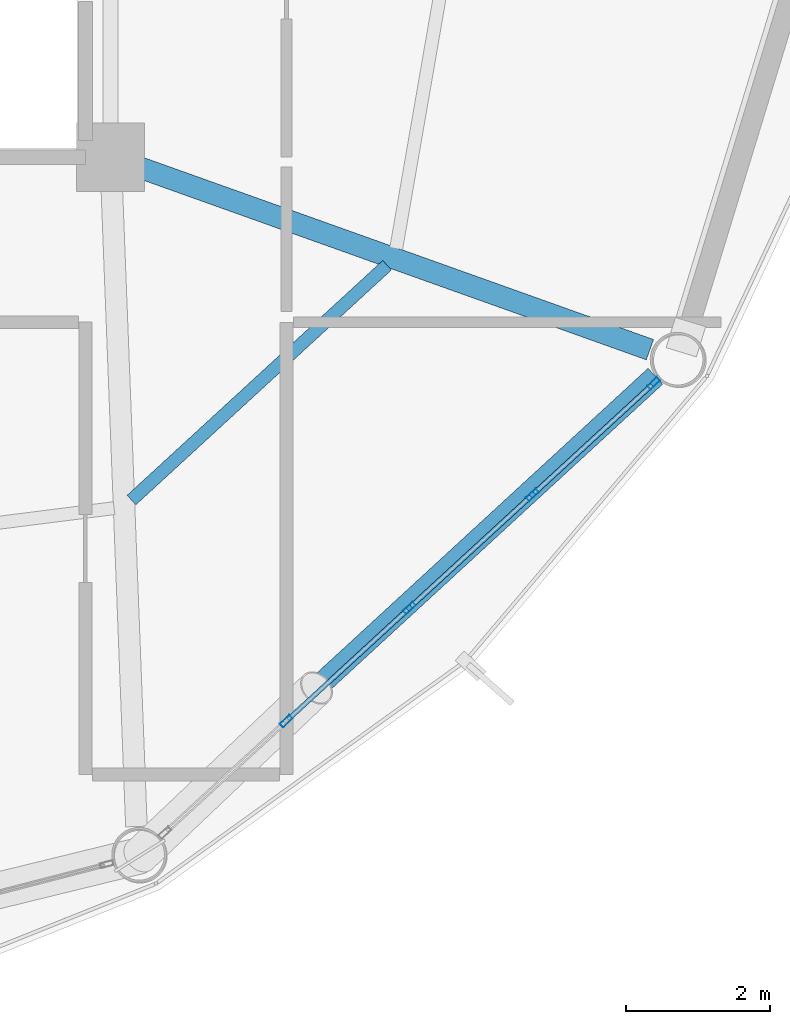
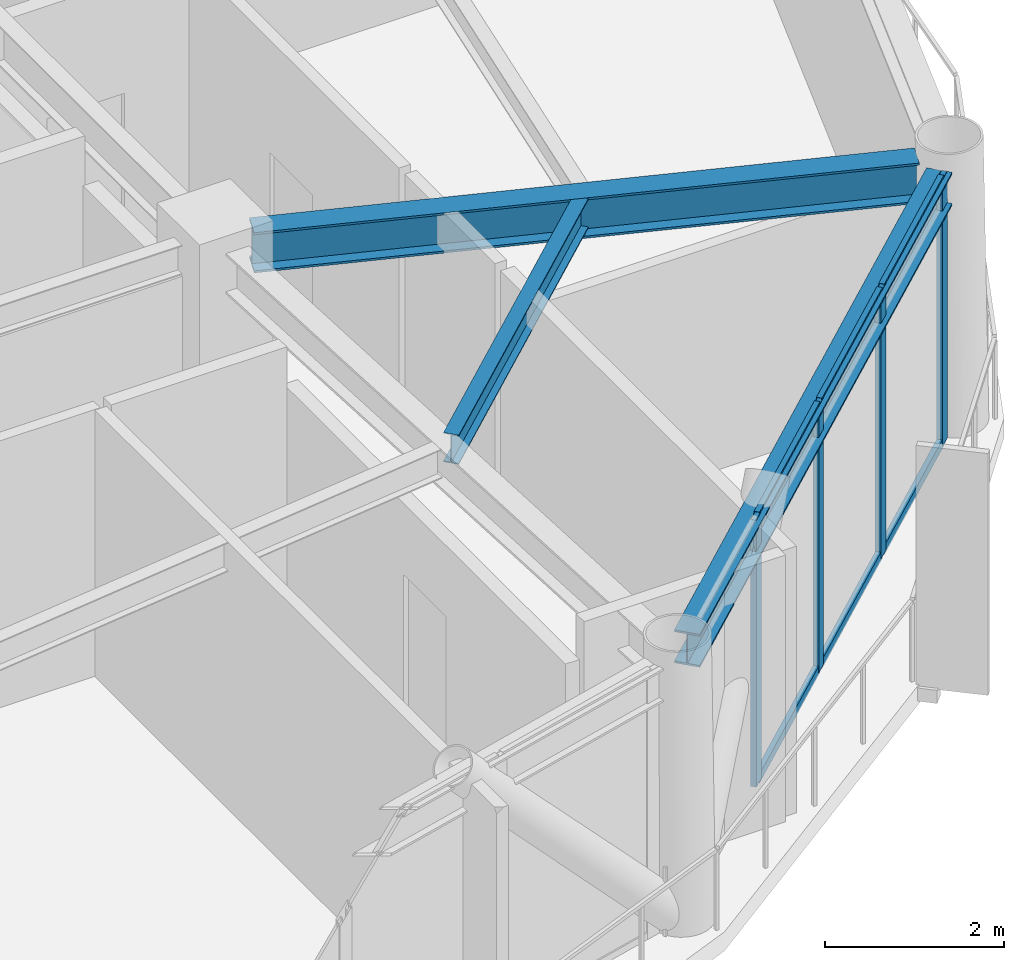
# One storey, part 14 of 25: 10 members, 3 beams, 1 element without a shape of its own.
"""IFC4 building model written with IfcOpenShell, lengths in metres."""

from ifc_helpers import new_model, si_unit, direction, frame, origin, origin_2d, place, context, subcontext, project, spatial, hollow_rectangle, i_section, extrude, material, layer, layer_set, material_profile, profile_set, type_object, element, aggregate, save


model = new_model("IFC4")

# Units and contexts
model_context = context("Model", 3, precision=1e-05, world=origin(), true_north=direction((0.0, 1.0)))
body_context = subcontext(model_context, "Body", "Model", "MODEL_VIEW")
ifc_project = project(units=[si_unit("LENGTHUNIT", "METRE"), si_unit("AREAUNIT", "SQUARE_METRE"), si_unit("VOLUMEUNIT", "CUBIC_METRE"), si_unit("PLANEANGLEUNIT", "RADIAN"), si_unit("MASSUNIT", "GRAM", prefix="KILO")], contexts=[model_context])

# Site, building, storey
site_placement = place(None, origin())
site = spatial("IfcSite", under=ifc_project, at=site_placement, CompositionType="ELEMENT")
building_placement = place(site_placement, origin())
building = spatial("IfcBuilding", under=site, at=building_placement, Name="Varnakorn Sky Granary", CompositionType="ELEMENT")
storey_placement = place(building_placement, frame((0.0, 0.0, 157.800048828125)))
storey = spatial("IfcBuildingStorey", under=building, at=storey_placement, Name="L39", CompositionType="ELEMENT", Elevation=157.800048828125)

# Beams
ifc_material_1 = material(Name="Steel S355JR", Category="steel")
ifc_material_profile_1 = material_profile(ifc_material_1, i_section(OverallWidth=0.300048828125, OverallDepth=0.550048828125, WebThickness=0.014892578125, FlangeThickness=0.029052734375, at=origin_2d()), Name="HE 550 B")
ifc_profile_set_1 = profile_set([ifc_material_profile_1], Name="Steel S355JR")
beam_type_1 = type_object("IfcBeamType", Name="BM-RAD-Z3", PredefinedType="BEAM", material=ifc_profile_set_1)
beam_1_placement = place(storey_placement, frame((8.74560546875, -6.7412109375, 3.364990234375), z_axis=(0.941801823733, -0.336168595815, 0.0), x_axis=(0.336168595815, 0.941801823733, 0.0)))
element("IfcBeam", 1, at=beam_1_placement, inside=storey, type_object=beam_type_1, Name="Radial Floor Girder RG12 L39", PredefinedType="BEAM", context=body_context, shape_type="SweptSolid", body=[
    extrude(i_section(OverallWidth=0.300048828125, OverallDepth=0.550048828125, WebThickness=0.014892578125, FlangeThickness=0.029052734375, at=origin_2d()), origin(), (0.0, 0.0, 1.0), 7.55810546875),
])
ifc_material_profile_2 = material_profile(ifc_material_1, i_section(OverallWidth=0.179931640625, OverallDepth=0.39990234375, WebThickness=0.008544921875, FlangeThickness=0.013427734375, at=origin_2d()), Name="IPE 400")
ifc_profile_set_2 = profile_set([ifc_material_profile_2], Name="Steel S355JR")
beam_type_2 = type_object("IfcBeamType", Name="BM-SEC-Z3", PredefinedType="BEAM", material=ifc_profile_set_2)
beam_2_placement = place(storey_placement, frame((8.64111328125, -11.377197265625, 3.43994140625), z_axis=(0.736415905339, 0.676529093509, 0.0), x_axis=(-0.676529093509, 0.736415905339, 0.0)))
element("IfcBeam", 2, at=beam_2_placement, inside=storey, type_object=beam_type_2, Name="Secondary Floor Chord Beam MSB11 L39", PredefinedType="BEAM", context=body_context, shape_type="SweptSolid", body=[
    extrude(i_section(OverallWidth=0.179931640625, OverallDepth=0.39990234375, WebThickness=0.008544921875, FlangeThickness=0.013427734375, at=origin_2d()), origin(), (0.0, 0.0, 1.0), 4.8349609375),
])
ifc_material_profile_3 = material_profile(ifc_material_1, i_section(OverallWidth=0.300048828125, OverallDepth=0.449951171875, WebThickness=0.013916015625, FlangeThickness=0.02587890625, at=origin_2d()), Name="HE 450 B")
ifc_profile_set_3 = profile_set([ifc_material_profile_3], Name="Steel S355JR")
beam_type_3 = type_object("IfcBeamType", Name="BM-SPD-Z3", PredefinedType="SPANDREL", material=ifc_profile_set_3)
beam_3_placement = place(storey_placement, frame((8.993408203125, -16.0419921875, 3.4150390625), z_axis=(0.73598256896, 0.677000486105, 0.0), x_axis=(-0.677000486105, 0.73598256896, 0.0)))
element("IfcBeam", 3, at=beam_3_placement, inside=storey, type_object=beam_type_3, Name="Perimeter Spandrel Ring Beam RB11 L39", PredefinedType="SPANDREL", context=body_context, shape_type="SweptSolid", body=[
    extrude(i_section(OverallWidth=0.300048828125, OverallDepth=0.449951171875, WebThickness=0.013916015625, FlangeThickness=0.02587890625, at=origin_2d()), origin(), (0.0, 0.0, 1.0), 9.4375),
])

# Curtain wall, members
ifc_material_2 = material(Name="Anodised Bronze Aluminium Alloy 6063-T6", Category="aluminium")
ifc_layer = layer(ifc_material_2, 0.179931640625, Name="Anodised Bronze Aluminium Alloy 6063-T6")
ifc_layer_set = layer_set([ifc_layer], Name="Anodised Bronze Aluminium Alloy 6063-T6")
curtain_wall_type = type_object("IfcCurtainWallType", Name="CW-FRM-2", PredefinedType="USERDEFINED", material=ifc_layer_set)
curtain_wall_placement = place(storey_placement, origin())
curtain_wall = element("IfcCurtainWall", 4, at=curtain_wall_placement, inside=storey, type_object=curtain_wall_type, Name="Unitised Curtain Wall CW4 CW-L39-B11", ObjectType="CURTAIN WALL", PredefinedType="USERDEFINED")
ifc_material_profile_4 = material_profile(ifc_material_2, hollow_rectangle(XDim=0.070068359375, YDim=0.18505859375, WallThickness=0.00390625, at=origin_2d()), Name="ALU MULL 70x185")
ifc_profile_set_4 = profile_set([ifc_material_profile_4], Name="Anodised Bronze Aluminium Alloy 6063-T6")
member_type_1 = type_object("IfcMemberType", Name="CW-FRM-2-MULL", PredefinedType="MULLION", material=ifc_profile_set_4)
member_1_placement = place(storey_placement, frame((15.916015625, -9.7509765625, 0.0), z_axis=(0.0, 0.0, 1.0), x_axis=(0.676758169844, -0.73620539223, 0.0)))
member_1 = element("IfcMember", 5, at=member_1_placement, type_object=member_type_1, Name="CW4 mullion 1", PredefinedType="MULLION", context=body_context, shape_type="SweptSolid", body=[
    extrude(hollow_rectangle(XDim=0.070068359375, YDim=0.18505859375, WallThickness=0.00390625, at=origin_2d()), origin(), (0.0, 0.0, 1.0), 3.639892578125),
])
member_2_placement = place(storey_placement, frame((14.226806640625, -11.3037109375, 0.0), z_axis=(0.0, 0.0, 1.0), x_axis=(0.676758169844, -0.73620539223, 0.0)))
member_2 = element("IfcMember", 6, at=member_2_placement, type_object=member_type_1, Name="CW4 mullion 2", PredefinedType="MULLION", context=body_context, shape_type="SweptSolid", body=[
    extrude(hollow_rectangle(XDim=0.070068359375, YDim=0.18505859375, WallThickness=0.00390625, at=origin_2d()), origin(), (0.0, 0.0, 1.0), 3.639892578125),
])
member_3_placement = place(storey_placement, frame((12.511962890625, -12.88037109375, 0.0), z_axis=(0.0, 0.0, 1.0), x_axis=(0.676758169844, -0.73620539223, 0.0)))
member_3 = element("IfcMember", 7, at=member_3_placement, type_object=member_type_1, Name="CW4 mullion 3", PredefinedType="MULLION", context=body_context, shape_type="SweptSolid", body=[
    extrude(hollow_rectangle(XDim=0.070068359375, YDim=0.18505859375, WallThickness=0.00390625, at=origin_2d()), origin(), (0.0, 0.0, 1.0), 3.639892578125),
])
member_4_placement = place(storey_placement, frame((10.797119140625, -14.456787109375, 0.0), z_axis=(0.0, 0.0, 1.0), x_axis=(0.676758169844, -0.73620539223, 0.0)))
member_4 = element("IfcMember", 8, at=member_4_placement, type_object=member_type_1, Name="CW4 mullion 4", PredefinedType="MULLION", context=body_context, shape_type="SweptSolid", body=[
    extrude(hollow_rectangle(XDim=0.070068359375, YDim=0.18505859375, WallThickness=0.00390625, at=origin_2d()), origin(), (0.0, 0.0, 1.0), 3.639892578125),
])
ifc_material_profile_5 = material_profile(ifc_material_2, hollow_rectangle(XDim=0.06494140625, YDim=0.1201171875, WallThickness=0.00341796875, at=origin_2d()), Name="ALU TRAN 65x120")
ifc_profile_set_5 = profile_set([ifc_material_profile_5], Name="Anodised Bronze Aluminium Alloy 6063-T6")
member_type_2 = type_object("IfcMemberType", Name="CW-FRM-2-TRAN", PredefinedType="USERDEFINED", material=ifc_profile_set_5)
member_5_placement = place(storey_placement, frame((15.890380859375, -9.774658203125, 0.032470703125), z_axis=(-0.736224061665, -0.676737859903, 0.0), x_axis=(0.676737859903, -0.736224061665, 0.0)))
member_5 = element("IfcMember", 9, at=member_5_placement, type_object=member_type_2, Name="CW4 transom 1.1", ObjectType="TRANSOM", PredefinedType="USERDEFINED", context=body_context, shape_type="SweptSolid", body=[
    extrude(hollow_rectangle(XDim=0.06494140625, YDim=0.1201171875, WallThickness=0.00341796875, at=origin_2d()), origin(), (0.0, 0.0, 1.0), 2.224365234375),
])
member_6_placement = place(storey_placement, frame((15.890380859375, -9.774658203125, 3.607421875), z_axis=(-0.736224061665, -0.676737859903, 0.0), x_axis=(0.676737859903, -0.736224061665, 0.0)))
member_6 = element("IfcMember", 10, at=member_6_placement, type_object=member_type_2, Name="CW4 transom 1.2", ObjectType="TRANSOM", PredefinedType="USERDEFINED", context=body_context, shape_type="SweptSolid", body=[
    extrude(hollow_rectangle(XDim=0.06494140625, YDim=0.1201171875, WallThickness=0.00341796875, at=origin_2d()), origin(), (0.0, 0.0, 1.0), 2.224365234375),
])
member_7_placement = place(storey_placement, frame((14.201171875, -11.327392578125, 0.032470703125), z_axis=(-0.736198009052, -0.676766201481, 0.0), x_axis=(0.676766201481, -0.736198009052, 0.0)))
member_7 = element("IfcMember", 11, at=member_7_placement, type_object=member_type_2, Name="CW4 transom 2.1", ObjectType="TRANSOM", PredefinedType="USERDEFINED", context=body_context, shape_type="SweptSolid", body=[
    extrude(hollow_rectangle(XDim=0.06494140625, YDim=0.1201171875, WallThickness=0.00341796875, at=origin_2d()), origin(), (0.0, 0.0, 1.0), 2.25927734375),
])
member_8_placement = place(storey_placement, frame((14.201171875, -11.327392578125, 3.607421875), z_axis=(-0.736198009052, -0.676766201481, 0.0), x_axis=(0.676766201481, -0.736198009052, 0.0)))
member_8 = element("IfcMember", 12, at=member_8_placement, type_object=member_type_2, Name="CW4 transom 2.2", ObjectType="TRANSOM", PredefinedType="USERDEFINED", context=body_context, shape_type="SweptSolid", body=[
    extrude(hollow_rectangle(XDim=0.06494140625, YDim=0.1201171875, WallThickness=0.00341796875, at=origin_2d()), origin(), (0.0, 0.0, 1.0), 2.25927734375),
])
member_9_placement = place(storey_placement, frame((12.486328125, -12.904052734375, 0.032470703125), z_axis=(-0.736247494984, -0.676712365877, 0.0), x_axis=(0.676712365877, -0.736247494984, 0.0)))
member_9 = element("IfcMember", 13, at=member_9_placement, type_object=member_type_2, Name="CW4 transom 3.1", ObjectType="TRANSOM", PredefinedType="USERDEFINED", context=body_context, shape_type="SweptSolid", body=[
    extrude(hollow_rectangle(XDim=0.06494140625, YDim=0.1201171875, WallThickness=0.00341796875, at=origin_2d()), origin(), (0.0, 0.0, 1.0), 2.259521484375),
])
member_10_placement = place(storey_placement, frame((12.486328125, -12.904052734375, 3.607421875), z_axis=(-0.736247494984, -0.676712365877, 0.0), x_axis=(0.676712365877, -0.736247494984, 0.0)))
member_10 = element("IfcMember", 14, at=member_10_placement, type_object=member_type_2, Name="CW4 transom 3.2", ObjectType="TRANSOM", PredefinedType="USERDEFINED", context=body_context, shape_type="SweptSolid", body=[
    extrude(hollow_rectangle(XDim=0.06494140625, YDim=0.1201171875, WallThickness=0.00341796875, at=origin_2d()), origin(), (0.0, 0.0, 1.0), 2.259521484375),
])
aggregate(curtain_wall, [member_1, member_2, member_3, member_4, member_5, member_6, member_7, member_8, member_9, member_10])

save(model, "model.ifc")
